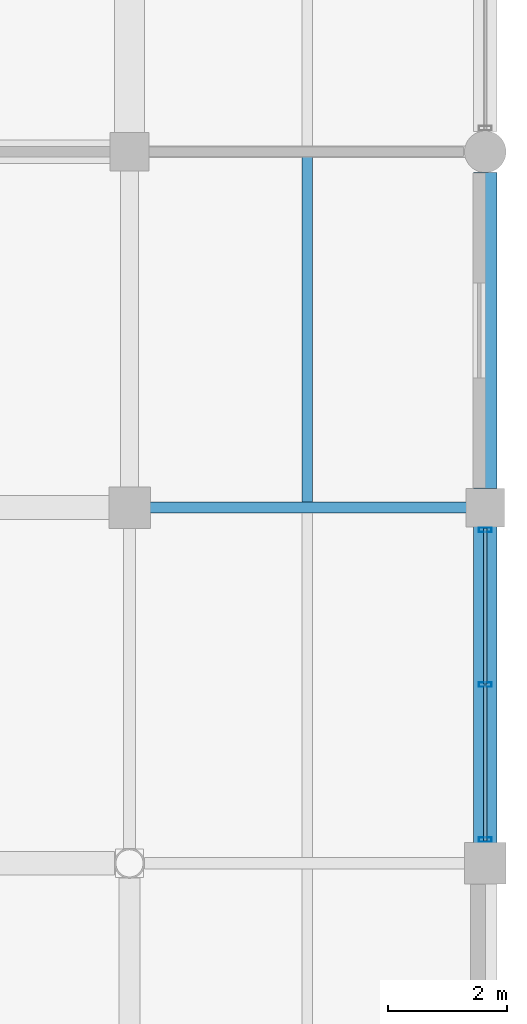
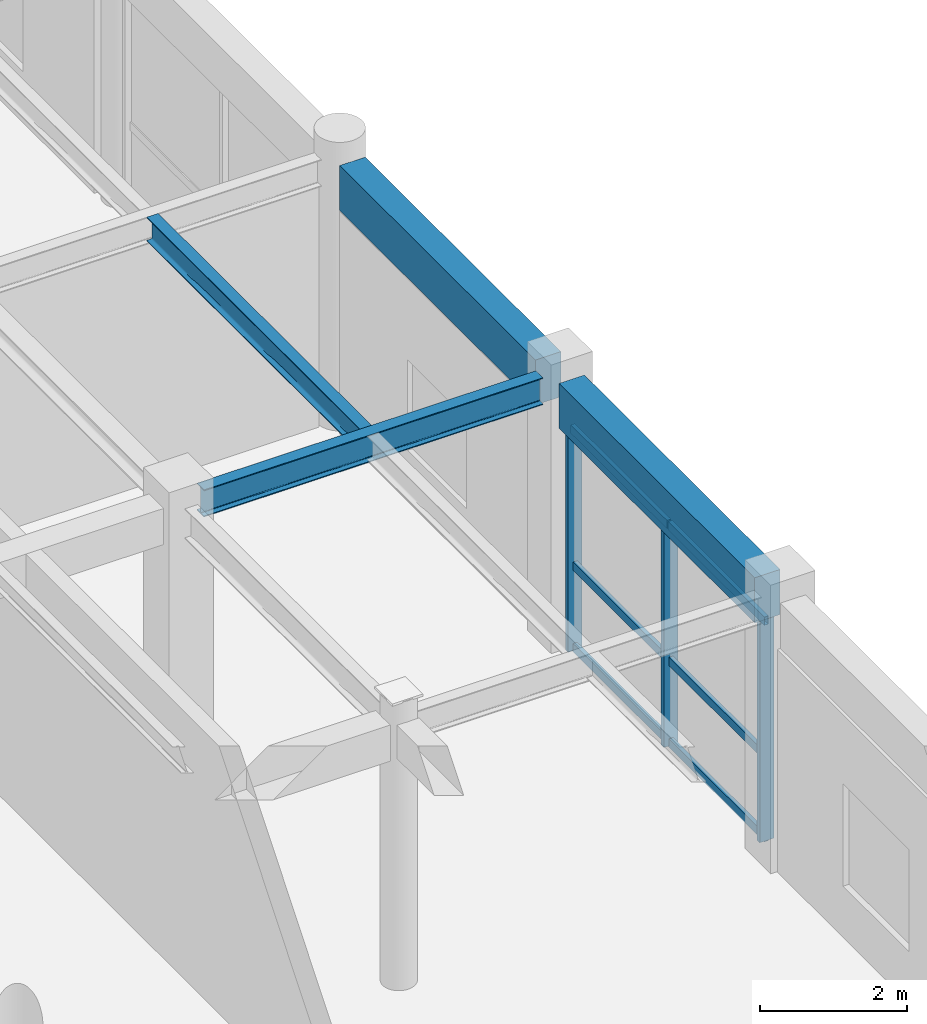
# One storey, part 76 of 123: 9 members, 4 beams, 1 element without a shape of its own.
"""IFC4 building model written with IfcOpenShell, lengths in metres."""

import ifcopenshell
import ifcopenshell.guid

model = None  # the IFC model being written
_history = None  # IfcOwnerHistory: only IFC2X3 demands one
_inside = {}  # id of a spatial element -> (the spatial element, [elements in it])
_under = {}  # id of a project, library or spatial element -> (it, [spatial elements below it])
_declared = {}  # id of a project -> (the project, [libraries it declares])
_typed = {}  # id of a type object -> (the type object, [elements of that type])
_made_of = {}  # id of a material, layer set ... -> (it, [elements and type objects made of it])


def new_model(schema):
    """Start an empty IFC model of exactly this schema.

    Asked for "IFC4X3", IfcOpenShell would pick the latest addendum, in which some entities
    have other attributes; the version numbers below select the first issue.
    IFC2X3 requires an IfcOwnerHistory on every rooted entity: one is made here for all.
    """
    global model, _history
    if schema == "IFC4X3":
        model = ifcopenshell.file(schema_version=(4, 3, 0, 0))
    else:
        model = ifcopenshell.file(schema=schema)
    _inside.clear()
    _under.clear()
    _declared.clear()
    _typed.clear()
    _made_of.clear()
    _history = None
    if model.schema == "IFC2X3":
        org = make("IfcOrganization", Name="unknown")
        user = make(
            "IfcPersonAndOrganization",
            ThePerson=make("IfcPerson", FamilyName="unknown"),
            TheOrganization=org,
        )
        app = make(
            "IfcApplication",
            ApplicationDeveloper=org,
            Version="unknown",
            ApplicationFullName="unknown",
            ApplicationIdentifier="unknown",
        )
        _history = make(
            "IfcOwnerHistory",
            OwningUser=user,
            OwningApplication=app,
            ChangeAction="ADDED",
            CreationDate=0,
        )
    return model


def make(cls, **values):
    """One entity of the class cls with the attributes given. An attribute that is None is left unset."""
    return model.create_entity(
        cls, **{name: value for name, value in values.items() if value is not None}
    )


def rooted(cls, **values):
    """An entity with a GlobalId (a new one), such as an element, a storey or a relation."""
    return make(cls, GlobalId=ifcopenshell.guid.new(), OwnerHistory=_history, **values)


def si_unit(unit_type, name, prefix=None):
    """IfcSIUnit, for example si_unit("LENGTHUNIT", "METRE", prefix="MILLI")."""
    return make("IfcSIUnit", UnitType=unit_type, Prefix=prefix, Name=name)


def assignment(units):
    """IfcUnitAssignment: the units of a project."""
    return None if units is None else make("IfcUnitAssignment", Units=units)


def point(xyz):
    """IfcCartesianPoint."""
    return None if xyz is None else make("IfcCartesianPoint", Coordinates=xyz)


def direction(xyz):
    """IfcDirection."""
    return None if xyz is None else make("IfcDirection", DirectionRatios=xyz)


def frame(location, z_axis=None, x_axis=None):
    """IfcAxis2Placement3D, a coordinate frame: its origin and axes. An axis left out is left unset."""
    return make(
        "IfcAxis2Placement3D",
        Location=point(location),
        Axis=direction(z_axis),
        RefDirection=direction(x_axis),
    )


def frame_2d(location, x_axis=None):
    """IfcAxis2Placement2D, a coordinate frame in the plane: its origin and x axis."""
    return make(
        "IfcAxis2Placement2D", Location=point(location), RefDirection=direction(x_axis)
    )


def origin():
    """The frame at (0, 0, 0) with its axes left unset."""
    return frame((0.0, 0.0, 0.0))


def origin_2d():
    """The frame at (0, 0) in the plane with its x axis left unset."""
    return frame_2d((0.0, 0.0))


def place(relative_to, where):
    """IfcLocalPlacement: puts the frame where relative to a parent placement (None: the world)."""
    return make(
        "IfcLocalPlacement", PlacementRelTo=relative_to, RelativePlacement=where
    )


def context(
    kind, dimensions, precision=None, world=None, true_north=None, identifier=None
):
    """IfcGeometricRepresentationContext, for example the 3D "Model" context."""
    return make(
        "IfcGeometricRepresentationContext",
        ContextIdentifier=identifier,
        ContextType=kind,
        CoordinateSpaceDimension=dimensions,
        Precision=precision,
        WorldCoordinateSystem=world,
        TrueNorth=true_north,
    )


def subcontext(parent, identifier, kind, view, scale=None):
    """IfcGeometricRepresentationSubContext, for example "Body" below "Model"."""
    return make(
        "IfcGeometricRepresentationSubContext",
        ContextIdentifier=identifier,
        ContextType=kind,
        ParentContext=parent,
        TargetScale=scale,
        TargetView=view,
    )


def project(units=None, contexts=None):
    """IfcProject with its units and contexts."""
    return rooted(
        "IfcProject",
        Name="project",
        RepresentationContexts=contexts,
        UnitsInContext=assignment(units),
    )


def spatial(cls, under=None, at=None, **own):
    """A site, building, storey or space (cls), placed at a placement, below another one or the project."""
    s = rooted(cls, ObjectPlacement=at, **own)
    if under is not None:
        _under.setdefault(under.id(), (under, []))[1].append(s)
    return s


def profile(cls, at=None, kind="AREA", **sizes):
    """A parametric profile (cls). Its sizes go by their IFC names, for example OverallWidth=200.0."""
    return make(cls, ProfileType=kind, Position=at, **sizes)


def rectangle(**sizes):
    """IfcRectangleProfileDef."""
    return profile("IfcRectangleProfileDef", **sizes)


def hollow_rectangle(**sizes):
    """IfcRectangleHollowProfileDef."""
    return profile("IfcRectangleHollowProfileDef", **sizes)


def i_section(**sizes):
    """IfcIShapeProfileDef."""
    return profile("IfcIShapeProfileDef", **sizes)


def extrude(swept, where, along, depth):
    """IfcExtrudedAreaSolid: the profile swept, set in the frame where, extruded along a direction by depth."""
    return make(
        "IfcExtrudedAreaSolid",
        SweptArea=swept,
        Position=where,
        ExtrudedDirection=direction(along),
        Depth=depth,
    )


def shape(context_of_items, identifier, shape_type, items):
    """IfcShapeRepresentation: the items that make up one representation, for example the "Body"."""
    return make(
        "IfcShapeRepresentation",
        ContextOfItems=context_of_items,
        RepresentationIdentifier=identifier,
        RepresentationType=shape_type,
        Items=items,
    )


def material(Name=None, Category=None):
    """IfcMaterial."""
    return make("IfcMaterial", Name=Name, Category=Category)


def material_profile(
    of_material, cross_section, Name=None, Category=None, Priority=None
):
    """IfcMaterialProfile: a cross section and its material."""
    return make(
        "IfcMaterialProfile",
        Name=Name,
        Material=of_material,
        Profile=cross_section,
        Priority=Priority,
        Category=Category,
    )


def profile_set(profiles, Name=None, composite=None):
    """IfcMaterialProfileSet."""
    return make(
        "IfcMaterialProfileSet",
        Name=Name,
        MaterialProfiles=profiles,
        CompositeProfile=composite,
    )


def made_of(thing, what):
    """Note that an element or type object is made of a material, layer set ...; save() writes the relation."""
    if what is not None:
        _made_of.setdefault(what.id(), (what, []))[1].append(thing)
    return thing


def type_object(cls, material=None, **own):
    """A type object (cls), such as IfcWallType, which elements share."""
    return made_of(rooted(cls, **own), material)


def element(
    cls,
    number,
    at=None,
    inside=None,
    cuts=None,
    type_object=None,
    material=None,
    context=None,
    identifier="Body",
    shape_type=None,
    held_by="IfcProductDefinitionShape",
    body=None,
    shapes=None,
    **own,
):
    """One element of the class cls, such as IfcWall. Its Tag is "e" and its number.

    at: its placement. inside: the storey or other place that contains it. cuts: it is an
    opening in that element (IfcRelVoidsElement). A single representation is given by context,
    identifier, shape_type and body (its items); several are given by shapes. held_by: the class
    of the entity that holds the representations. save() writes the other relations.
    """
    e = rooted(cls, Tag="e%d" % number, ObjectPlacement=at, **own)
    if body is not None:
        shapes = [shape(context, identifier, shape_type, body)]
    if shapes is not None:
        e.Representation = make(held_by, Representations=shapes)
    if inside is not None:
        _inside.setdefault(inside.id(), (inside, []))[1].append(e)
    if cuts is not None:
        rooted(
            "IfcRelVoidsElement", RelatingBuildingElement=cuts, RelatedOpeningElement=e
        )
    if type_object is not None:
        _typed.setdefault(type_object.id(), (type_object, []))[1].append(e)
    return made_of(e, material)


def aggregate(whole, parts):
    """IfcRelAggregates: a whole, such as a stair, and the parts it consists of."""
    return rooted("IfcRelAggregates", RelatingObject=whole, RelatedObjects=parts)


def save(model, path):
    """Write the relations noted so far, then the file.

    IfcRelAggregates (storeys below a building ...), IfcRelContainedInSpatialStructure (elements
    in a storey), IfcRelDefinesByType, IfcRelAssociatesMaterial and IfcRelDeclares: one each for
    every whole, place, type object, material and project.
    """
    for whole, parts in _under.values():
        aggregate(whole, parts)
    for where, things in _inside.values():
        rooted(
            "IfcRelContainedInSpatialStructure",
            RelatedElements=things,
            RelatingStructure=where,
        )
    for kind, things in _typed.values():
        rooted("IfcRelDefinesByType", RelatedObjects=things, RelatingType=kind)
    for what, things in _made_of.values():
        rooted("IfcRelAssociatesMaterial", RelatedObjects=things, RelatingMaterial=what)
    for by, libraries in _declared.values():
        rooted("IfcRelDeclares", RelatingContext=by, RelatedDefinitions=libraries)
    model.write(path)


model = new_model("IFC4")

# Units and contexts
model_context = context("Model", 3, precision=1e-05, world=origin(), true_north=direction((0.0, 1.0)))
body_context = subcontext(model_context, "Body", "Model", "MODEL_VIEW")
ifc_project = project(units=[si_unit("LENGTHUNIT", "METRE"), si_unit("AREAUNIT", "SQUARE_METRE"), si_unit("VOLUMEUNIT", "CUBIC_METRE"), si_unit("PLANEANGLEUNIT", "RADIAN"), si_unit("MASSUNIT", "GRAM", prefix="KILO"), si_unit("THERMODYNAMICTEMPERATUREUNIT", "KELVIN"), si_unit("POWERUNIT", "WATT")], contexts=[model_context])

# Site, building, storey
site_placement = place(None, origin())
site = spatial("IfcSite", under=ifc_project, at=site_placement, CompositionType="ELEMENT")
building_placement = place(site_placement, origin())
building = spatial("IfcBuilding", under=site, at=building_placement, Name="Phaisarnlok Congress Hotel", CompositionType="ELEMENT")
storey_placement = place(building_placement, frame((0.0, 0.0, 15.0)))
storey = spatial("IfcBuildingStorey", under=building, at=storey_placement, Name="L03", CompositionType="ELEMENT", Elevation=15.0)

# Beam
ifc_material_1 = material(Name="Steel S355", Category="steel")
ifc_material_profile_1 = material_profile(ifc_material_1, i_section(OverallWidth=0.18994140625, OverallDepth=0.449951171875, WebThickness=0.009521484375, FlangeThickness=0.0146484375, FilletRadius=0.02099609375, at=origin_2d()), Name="IPE 450")
ifc_profile_set_1 = profile_set([ifc_material_profile_1], Name="Steel S355")
beam_type_1 = type_object("IfcBeamType", Name="BM-STL-IPE450", PredefinedType="BEAM", material=ifc_profile_set_1)
beam_1_placement = place(storey_placement, frame((174.344970703125, 90.0, 4.22509765625), z_axis=(1.0, 0.0, 0.0), x_axis=(0.0, 1.0, 0.0)))
element("IfcBeam", 1, at=beam_1_placement, inside=storey, type_object=beam_type_1, Name="Beam SB-01", PredefinedType="BEAM", context=body_context, shape_type="SweptSolid", body=[
    extrude(i_section(OverallWidth=0.18994140625, OverallDepth=0.449951171875, WebThickness=0.009521484375, FlangeThickness=0.0146484375, FilletRadius=0.02099609375, at=origin_2d()), origin(), (0.0, 0.0, 1.0), 5.3349609375),
])

# Curtain wall, members
ifc_material_2 = material(Name="Thermally Broken Unitised Aluminium & Low-E Glazing", Category="aluminium")
curtain_wall_type = type_object("IfcCurtainWallType", Name="CW-UNIT-30", PredefinedType="NOTDEFINED", material=ifc_material_2)
curtain_wall_placement = place(storey_placement, origin())
curtain_wall = element("IfcCurtainWall", 2, at=curtain_wall_placement, inside=storey, type_object=curtain_wall_type, Name="Unitised curtain wall CW-30 (L03)", PredefinedType="NOTDEFINED")
ifc_material_3 = material(Name="Anodised Aluminium Alloy 6063-T6", Category="aluminium")
ifc_material_profile_2 = material_profile(ifc_material_3, hollow_rectangle(XDim=0.074951171875, YDim=0.219970703125, WallThickness=0.0048828125, at=origin_2d()), Name="ALU-M 75x220x5")
ifc_profile_set_2 = profile_set([ifc_material_profile_2], Name="Anodised Aluminium Alloy 6063-T6")
member_type_1 = type_object("IfcMemberType", Name="CWM-220", PredefinedType="MULLION", material=ifc_profile_set_2)
member_1_placement = place(storey_placement, frame((180.0, 84.39990234375, 0.0), z_axis=(0.0, 0.0, 1.0), x_axis=(0.0, 1.0, 0.0)))
member_1 = element("IfcMember", 3, at=member_1_placement, type_object=member_type_1, Name="Curtain wall mullion CWM-02", PredefinedType="MULLION", context=body_context, shape_type="SweptSolid", body=[
    extrude(hollow_rectangle(XDim=0.074951171875, YDim=0.219970703125, WallThickness=0.0048828125, at=origin_2d()), origin(), (0.0, 0.0, 1.0), 3.699951171875),
])
member_2_placement = place(storey_placement, frame((180.0, 87.012451171875, 0.0), z_axis=(0.0, 0.0, 1.0), x_axis=(0.0, 1.0, 0.0)))
member_2 = element("IfcMember", 4, at=member_2_placement, type_object=member_type_1, Name="Curtain wall mullion CWM-02", PredefinedType="MULLION", context=body_context, shape_type="SweptSolid", body=[
    extrude(hollow_rectangle(XDim=0.074951171875, YDim=0.219970703125, WallThickness=0.0048828125, at=origin_2d()), origin(), (0.0, 0.0, 1.0), 3.699951171875),
])
member_3_placement = place(storey_placement, frame((180.0, 89.625, 0.0), z_axis=(0.0, 0.0, 1.0), x_axis=(0.0, 1.0, 0.0)))
member_3 = element("IfcMember", 5, at=member_3_placement, type_object=member_type_1, Name="Curtain wall mullion CWM-02", PredefinedType="MULLION", context=body_context, shape_type="SweptSolid", body=[
    extrude(hollow_rectangle(XDim=0.074951171875, YDim=0.219970703125, WallThickness=0.0048828125, at=origin_2d()), origin(), (0.0, 0.0, 1.0), 3.699951171875),
])
ifc_material_profile_3 = material_profile(ifc_material_3, hollow_rectangle(XDim=0.06494140625, YDim=0.139892578125, WallThickness=0.00390625, at=origin_2d()), Name="ALU-T 65x140x4")
ifc_profile_set_3 = profile_set([ifc_material_profile_3], Name="Anodised Aluminium Alloy 6063-T6")
member_type_2 = type_object("IfcMemberType", Name="CWT-150", PredefinedType="USERDEFINED", material=ifc_profile_set_3)
member_4_placement = place(storey_placement, frame((180.0, 84.375, 0.050048828125), z_axis=(0.0, 1.0, 0.0), x_axis=(-1.0, 0.0, 0.0)))
member_4 = element("IfcMember", 6, at=member_4_placement, type_object=member_type_2, Name="Curtain wall transom CWT-01", ObjectType="TRANSOM", PredefinedType="USERDEFINED", context=body_context, shape_type="SweptSolid", body=[
    extrude(hollow_rectangle(XDim=0.06494140625, YDim=0.139892578125, WallThickness=0.00390625, at=origin_2d()), origin(), (0.0, 0.0, 1.0), 2.62255859375),
])
member_5_placement = place(storey_placement, frame((180.0, 84.375, 1.406005859375), z_axis=(0.0, 1.0, 0.0), x_axis=(-1.0, 0.0, 0.0)))
member_5 = element("IfcMember", 7, at=member_5_placement, type_object=member_type_2, Name="Curtain wall transom CWT-01", ObjectType="TRANSOM", PredefinedType="USERDEFINED", context=body_context, shape_type="SweptSolid", body=[
    extrude(hollow_rectangle(XDim=0.06494140625, YDim=0.139892578125, WallThickness=0.00390625, at=origin_2d()), origin(), (0.0, 0.0, 1.0), 2.62255859375),
])
member_6_placement = place(storey_placement, frame((180.0, 84.375, 3.64990234375), z_axis=(0.0, 1.0, 0.0), x_axis=(-1.0, 0.0, 0.0)))
member_6 = element("IfcMember", 8, at=member_6_placement, type_object=member_type_2, Name="Curtain wall transom CWT-01", ObjectType="TRANSOM", PredefinedType="USERDEFINED", context=body_context, shape_type="SweptSolid", body=[
    extrude(hollow_rectangle(XDim=0.06494140625, YDim=0.139892578125, WallThickness=0.00390625, at=origin_2d()), origin(), (0.0, 0.0, 1.0), 2.62255859375),
])
member_7_placement = place(storey_placement, frame((180.0, 87.027587890625, 0.050048828125), z_axis=(0.0, 1.0, 0.0), x_axis=(-1.0, 0.0, 0.0)))
member_7 = element("IfcMember", 9, at=member_7_placement, type_object=member_type_2, Name="Curtain wall transom CWT-01", ObjectType="TRANSOM", PredefinedType="USERDEFINED", context=body_context, shape_type="SweptSolid", body=[
    extrude(hollow_rectangle(XDim=0.06494140625, YDim=0.139892578125, WallThickness=0.00390625, at=origin_2d()), origin(), (0.0, 0.0, 1.0), 2.622314453125),
])
member_8_placement = place(storey_placement, frame((180.0, 87.027587890625, 1.406005859375), z_axis=(0.0, 1.0, 0.0), x_axis=(-1.0, 0.0, 0.0)))
member_8 = element("IfcMember", 10, at=member_8_placement, type_object=member_type_2, Name="Curtain wall transom CWT-01", ObjectType="TRANSOM", PredefinedType="USERDEFINED", context=body_context, shape_type="SweptSolid", body=[
    extrude(hollow_rectangle(XDim=0.06494140625, YDim=0.139892578125, WallThickness=0.00390625, at=origin_2d()), origin(), (0.0, 0.0, 1.0), 2.622314453125),
])
member_9_placement = place(storey_placement, frame((180.0, 87.027587890625, 3.64990234375), z_axis=(0.0, 1.0, 0.0), x_axis=(-1.0, 0.0, 0.0)))
member_9 = element("IfcMember", 11, at=member_9_placement, type_object=member_type_2, Name="Curtain wall transom CWT-01", ObjectType="TRANSOM", PredefinedType="USERDEFINED", context=body_context, shape_type="SweptSolid", body=[
    extrude(hollow_rectangle(XDim=0.06494140625, YDim=0.139892578125, WallThickness=0.00390625, at=origin_2d()), origin(), (0.0, 0.0, 1.0), 2.622314453125),
])
aggregate(curtain_wall, [member_1, member_2, member_3, member_4, member_5, member_6, member_7, member_8, member_9])

# Beams
ifc_material_profile_4 = material_profile(ifc_material_1, i_section(OverallWidth=0.179931640625, OverallDepth=0.39990234375, WebThickness=0.008544921875, FlangeThickness=0.013427734375, FilletRadius=0.02099609375, at=origin_2d()), Name="IPE 400")
ifc_profile_set_4 = profile_set([ifc_material_profile_4], Name="Steel S355")
beam_type_2 = type_object("IfcBeamType", Name="JS-STL-IPE400", PredefinedType="JOIST", material=ifc_profile_set_4)
beam_2_placement = place(storey_placement, frame((177.0, 90.090087890625, 4.25), z_axis=(0.0, 1.0, 0.0), x_axis=(-1.0, 0.0, 0.0)))
element("IfcBeam", 12, at=beam_2_placement, inside=storey, type_object=beam_type_2, Name="Secondary floor joist J-05", PredefinedType="JOIST", context=body_context, shape_type="SweptSolid", body=[
    extrude(i_section(OverallWidth=0.179931640625, OverallDepth=0.39990234375, WebThickness=0.008544921875, FlangeThickness=0.013427734375, FilletRadius=0.02099609375, at=origin_2d()), origin(), (0.0, 0.0, 1.0), 5.81982421875),
])
ifc_material_4 = material(Name="Concrete C40/50", Category="concrete")
ifc_material_profile_5 = material_profile(ifc_material_4, rectangle(XDim=0.39990234375, YDim=0.75, at=origin_2d()), Name="RC 400x750")
ifc_profile_set_5 = profile_set([ifc_material_profile_5], Name="Concrete C40/50")
beam_type_3 = type_object("IfcBeamType", Name="SP-RC-400x750", PredefinedType="SPANDREL", material=ifc_profile_set_5)
for number, where, z_axis, x_axis, name in (
    (13, (180.0, 84.344970703125, 4.074951171875), (0.0, 1.0, 0.0), (-1.0, 0.0, 0.0), "Beam SP-02"),
    (14, (180.0, 90.320068359375, 4.074951171875), (0.0, 1.0, 0.0), (-1.0, 0.0, 0.0), "Beam SP-02"),
):
    element("IfcBeam", number, at=place(storey_placement, frame(where, z_axis=z_axis, x_axis=x_axis)), inside=storey, type_object=beam_type_3, Name=name, PredefinedType="SPANDREL", context=body_context, shape_type="SweptSolid", body=[
        extrude(rectangle(XDim=0.39990234375, YDim=0.75, at=origin_2d()), origin(), (0.0, 0.0, 1.0), 5.3349609375),
    ])

save(model, "model.ifc")
